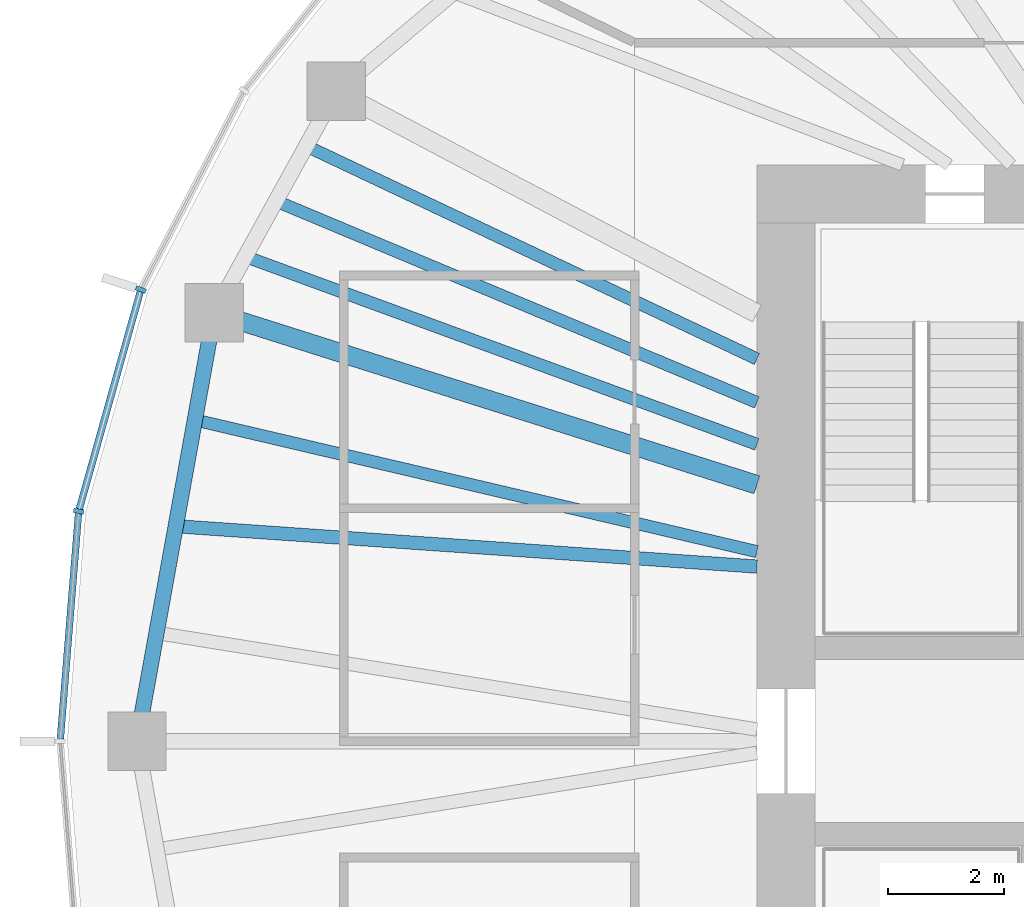
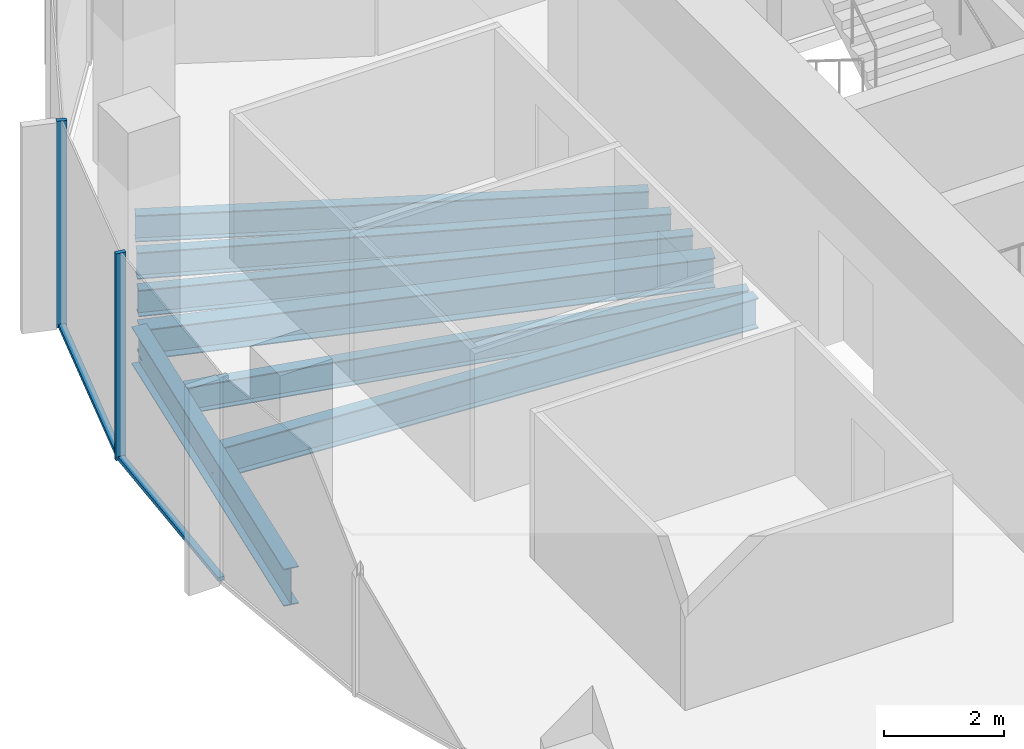
# One storey, part 3 of 11: 7 beams, 4 members, 1 element without a shape of its own.
"""IFC4 building model written with IfcOpenShell, lengths in metres."""

from ifc_helpers import new_model, si_unit, direction, frame, origin, origin_2d, place, context, subcontext, project, spatial, rectangle, i_section, extrude, material, material_profile, profile_set, type_object, element, aggregate, save


model = new_model("IFC4")

# Units and contexts
model_context = context("Model", 3, precision=1e-05, world=origin(), true_north=direction((0.0, 1.0)))
body_context = subcontext(model_context, "Body", "Model", "MODEL_VIEW")
ifc_project = project(units=[si_unit("LENGTHUNIT", "METRE"), si_unit("AREAUNIT", "SQUARE_METRE"), si_unit("VOLUMEUNIT", "CUBIC_METRE"), si_unit("PLANEANGLEUNIT", "RADIAN"), si_unit("MASSUNIT", "GRAM", prefix="KILO")], contexts=[model_context])

# Site, building, storey
site_placement = place(None, origin())
site = spatial("IfcSite", under=ifc_project, at=site_placement, CompositionType="ELEMENT")
building_placement = place(site_placement, origin())
building = spatial("IfcBuilding", under=site, at=building_placement, Name="Ghaith Harvest Tower", CompositionType="ELEMENT")
storey_placement = place(building_placement, frame((0.0, 0.0, 321.60009765625)))
storey = spatial("IfcBuildingStorey", under=building, at=storey_placement, Name="L72", CompositionType="ELEMENT", Elevation=321.60009765625)

# Curtain wall, members
ifc_material_1 = material(Name="Black anodised aluminium and fritted glass", Category="aluminium")
curtain_wall_type = type_object("IfcCurtainWallType", Name="CW-T CURTAIN WALL", PredefinedType="NOTDEFINED", material=ifc_material_1)
curtain_wall_placement = place(storey_placement, origin())
curtain_wall = element("IfcCurtainWall", 1, at=curtain_wall_placement, inside=storey, type_object=curtain_wall_type, Name="Curtain wall CW-T bay 10 L72", PredefinedType="NOTDEFINED")
ifc_material_2 = material(Name="Aluminium, black anodised", Category="aluminium")
ifc_material_profile_1 = material_profile(ifc_material_2, rectangle(XDim=0.080078125, YDim=0.179931640625, at=origin_2d()), Name="CW-T MULLION 80x180")
ifc_profile_set_1 = profile_set([ifc_material_profile_1], Name="Aluminium, black anodised")
member_type_1 = type_object("IfcMemberType", Name="CW-T MULLION 80x180", PredefinedType="MULLION", material=ifc_profile_set_1)
member_1_placement = place(storey_placement, frame((-24.482666015625, 7.759033203125, 0.0), z_axis=(0.0, 0.0, 1.0), x_axis=(-0.366473104961, -0.930428644948, 0.0)))
member_1 = element("IfcMember", 2, at=member_1_placement, type_object=member_type_1, Name="CW-T mullion 1 bay 10 L72", PredefinedType="MULLION", context=body_context, shape_type="SweptSolid", body=[
    extrude(rectangle(XDim=0.080078125, YDim=0.179931640625, at=origin_2d()), origin(), (0.0, 0.0, 1.0), 4.199951171875),
])
member_2_placement = place(storey_placement, frame((-25.5517578125, 3.9521484375, 0.0), z_axis=(0.0, 0.0, 1.0), x_axis=(-0.176001390642, -0.984389917915, 0.0)))
member_2 = element("IfcMember", 3, at=member_2_placement, type_object=member_type_1, Name="CW-T mullion 2 bay 10 L72", PredefinedType="MULLION", context=body_context, shape_type="SweptSolid", body=[
    extrude(rectangle(XDim=0.080078125, YDim=0.179931640625, at=origin_2d()), origin(), (0.0, 0.0, 1.0), 4.199951171875),
])
ifc_material_3 = material(Name="Aluminium, black anodised", Category="aluminium")
ifc_material_profile_2 = material_profile(ifc_material_3, rectangle(XDim=0.1201171875, YDim=0.080078125, at=origin_2d()), Name="CW-T TRANSOM 120x80")
ifc_profile_set_2 = profile_set([ifc_material_profile_2], Name="Aluminium, black anodised")
member_type_2 = type_object("IfcMemberType", Name="CW-T TRANSOM 120x80", PredefinedType="USERDEFINED", material=ifc_profile_set_2)
member_3_placement = place(storey_placement, frame((-24.49365234375, 7.720458984375, 0.039794921875), z_axis=(-0.270340422972, -0.962764797709, 0.0), x_axis=(0.962764797709, -0.270340422972, 0.0)))
member_3 = element("IfcMember", 4, at=member_3_placement, type_object=member_type_2, Name="CW-T transom 1 bay 10 L72", ObjectType="TRANSOM", PredefinedType="USERDEFINED", context=body_context, shape_type="SweptSolid", body=[
    extrude(rectangle(XDim=0.1201171875, YDim=0.080078125, at=origin_2d()), origin(), (0.0, 0.0, 1.0), 3.874267578125),
])
member_4_placement = place(storey_placement, frame((-25.554931640625, 3.912109375, 0.039794921875), z_axis=(-0.08025226314, -0.996774585481, 0.0), x_axis=(0.996774585481, -0.08025226314, 0.0)))
member_4 = element("IfcMember", 5, at=member_4_placement, type_object=member_type_2, Name="CW-T transom 2 bay 10 L72", ObjectType="TRANSOM", PredefinedType="USERDEFINED", context=body_context, shape_type="SweptSolid", body=[
    extrude(rectangle(XDim=0.1201171875, YDim=0.080078125, at=origin_2d()), origin(), (0.0, 0.0, 1.0), 3.884765625),
])
aggregate(curtain_wall, [member_1, member_3, member_2, member_4])

# Beams
ifc_material_4 = material(Name="Steel ASTM A992 Grade 50", Category="steel")
ifc_material_profile_3 = material_profile(ifc_material_4, i_section(OverallWidth=0.26611328125, OverallDepth=0.758056640625, WebThickness=0.013916015625, FlangeThickness=0.019287109375, at=origin_2d()), Name="W760X161")
ifc_profile_set_3 = profile_set([ifc_material_profile_3], Name="Steel ASTM A992 Grade 50")
beam_type_1 = type_object("IfcBeamType", Name="E760-161 W760X161", PredefinedType="SPANDREL", material=ifc_profile_set_3)
beam_1_placement = place(storey_placement, frame((-23.22412109375, 7.360107421875, -0.549072265625), z_axis=(-0.177296554745, -0.984157473007, 0.0), x_axis=(0.984157473007, -0.177296554745, 0.0)))
element("IfcBeam", 6, at=beam_1_placement, inside=storey, type_object=beam_type_1, Name="Edge beam E10 L72", PredefinedType="SPANDREL", context=body_context, shape_type="SweptSolid", body=[
    extrude(i_section(OverallWidth=0.26611328125, OverallDepth=0.758056640625, WebThickness=0.013916015625, FlangeThickness=0.019287109375, at=origin_2d()), origin(), (0.0, 0.0, 1.0), 7.478515625),
])
ifc_material_5 = material(Name="Steel ASTM A992 Grade 50", Category="steel")
ifc_material_profile_4 = material_profile(ifc_material_5, i_section(OverallWidth=0.323974609375, OverallDepth=0.611083984375, WebThickness=0.0126953125, FlangeThickness=0.01904296875, at=origin_2d()), Name="W610X155")
ifc_profile_set_4 = profile_set([ifc_material_profile_4], Name="Steel ASTM A992 Grade 50")
beam_type_2 = type_object("IfcBeamType", Name="G610-155 W610X155", PredefinedType="BEAM", material=ifc_profile_set_4)
beam_2_placement = place(storey_placement, frame((-13.89990234375, 4.4052734375, -0.4755859375), z_axis=(-0.953278508772, 0.302092841215, 0.0), x_axis=(-0.302092841215, -0.953278508772, 0.0)))
element("IfcBeam", 7, at=beam_2_placement, inside=storey, type_object=beam_type_2, Name="Radial girder G10 L72", PredefinedType="BEAM", context=body_context, shape_type="SweptSolid", body=[
    extrude(i_section(OverallWidth=0.323974609375, OverallDepth=0.611083984375, WebThickness=0.0126953125, FlangeThickness=0.01904296875, at=origin_2d()), origin(), (0.0, 0.0, 1.0), 9.78125),
])
ifc_material_6 = material(Name="Steel ASTM A992 Grade 50", Category="steel")
ifc_material_profile_5 = material_profile(ifc_material_6, i_section(OverallWidth=0.2109375, OverallDepth=0.5390625, WebThickness=0.01171875, FlangeThickness=0.018798828125, at=origin_2d()), Name="W530X109")
ifc_profile_set_5 = profile_set([ifc_material_profile_5], Name="Steel ASTM A992 Grade 50")
beam_type_3 = type_object("IfcBeamType", Name="J530-109 W530X109", PredefinedType="JOIST", material=ifc_profile_set_5)
beam_3_placement = place(storey_placement, frame((-13.89990234375, 6.56787109375, -0.439697265625), z_axis=(-0.904165769726, 0.427181765594, 0.0), x_axis=(-0.427181765594, -0.904165769726, 0.0)))
element("IfcBeam", 8, at=beam_3_placement, inside=storey, type_object=beam_type_3, Name="Joist J09.1 L72", PredefinedType="JOIST", context=body_context, shape_type="SweptSolid", body=[
    extrude(i_section(OverallWidth=0.2109375, OverallDepth=0.5390625, WebThickness=0.01171875, FlangeThickness=0.018798828125, at=origin_2d()), origin(), (0.0, 0.0, 1.0), 8.564208984375),
])
beam_4_placement = place(storey_placement, frame((-13.89990234375, 5.82080078125, -0.439697265625), z_axis=(-0.922394258818, 0.38624970071, 0.0), x_axis=(-0.38624970071, -0.922394258818, 0.0)))
element("IfcBeam", 9, at=beam_4_placement, inside=storey, type_object=beam_type_3, Name="Joist J09.2 L72", PredefinedType="JOIST", context=body_context, shape_type="SweptSolid", body=[
    extrude(i_section(OverallWidth=0.2109375, OverallDepth=0.5390625, WebThickness=0.01171875, FlangeThickness=0.018798828125, at=origin_2d()), origin(), (0.0, 0.0, 1.0), 8.959716796875),
])
beam_5_placement = place(storey_placement, frame((-13.89990234375, 5.101318359375, -0.439697265625), z_axis=(-0.938776837502, 0.34452583266, 0.0), x_axis=(-0.34452583266, -0.938776837502, 0.0)))
element("IfcBeam", 10, at=beam_5_placement, inside=storey, type_object=beam_type_3, Name="Joist J09.3 L72", PredefinedType="JOIST", context=body_context, shape_type="SweptSolid", body=[
    extrude(i_section(OverallWidth=0.2109375, OverallDepth=0.5390625, WebThickness=0.01171875, FlangeThickness=0.018798828125, at=origin_2d()), origin(), (0.0, 0.0, 1.0), 9.36376953125),
])
beam_6_placement = place(storey_placement, frame((-13.89990234375, 3.257080078125, -0.439697265625), z_axis=(-0.973623403271, 0.228161058472, 0.0), x_axis=(-0.228161058472, -0.973623403271, 0.0)))
element("IfcBeam", 11, at=beam_6_placement, inside=storey, type_object=beam_type_3, Name="Joist J10.1 L72", PredefinedType="JOIST", context=body_context, shape_type="SweptSolid", body=[
    extrude(i_section(OverallWidth=0.2109375, OverallDepth=0.5390625, WebThickness=0.01171875, FlangeThickness=0.018798828125, at=origin_2d()), origin(), (0.0, 0.0, 1.0), 9.9169921875),
])
ifc_material_7 = material(Name="Steel ASTM A992 Grade 50", Category="steel")
ifc_material_profile_6 = material_profile(ifc_material_7, i_section(OverallWidth=0.22998046875, OverallDepth=0.616943359375, WebThickness=0.01318359375, FlangeThickness=0.022216796875, at=origin_2d()), Name="W610X140")
ifc_profile_set_6 = profile_set([ifc_material_profile_6], Name="Steel ASTM A992 Grade 50")
beam_type_4 = type_object("IfcBeamType", Name="J610-140 W610X140", PredefinedType="JOIST", material=ifc_profile_set_6)
beam_7_placement = place(storey_placement, frame((-13.89990234375, 3.0, -0.478515625), z_axis=(-0.997592478057, 0.069348739886, 0.0), x_axis=(-0.069348739886, -0.997592478057, 0.0)))
element("IfcBeam", 12, at=beam_7_placement, inside=storey, type_object=beam_type_4, Name="Joist J10.2 L72", PredefinedType="JOIST", context=body_context, shape_type="SweptSolid", body=[
    extrude(i_section(OverallWidth=0.22998046875, OverallDepth=0.616943359375, WebThickness=0.01318359375, FlangeThickness=0.022216796875, at=origin_2d()), origin(), (0.0, 0.0, 1.0), 10.0087890625),
])

save(model, "model.ifc")
